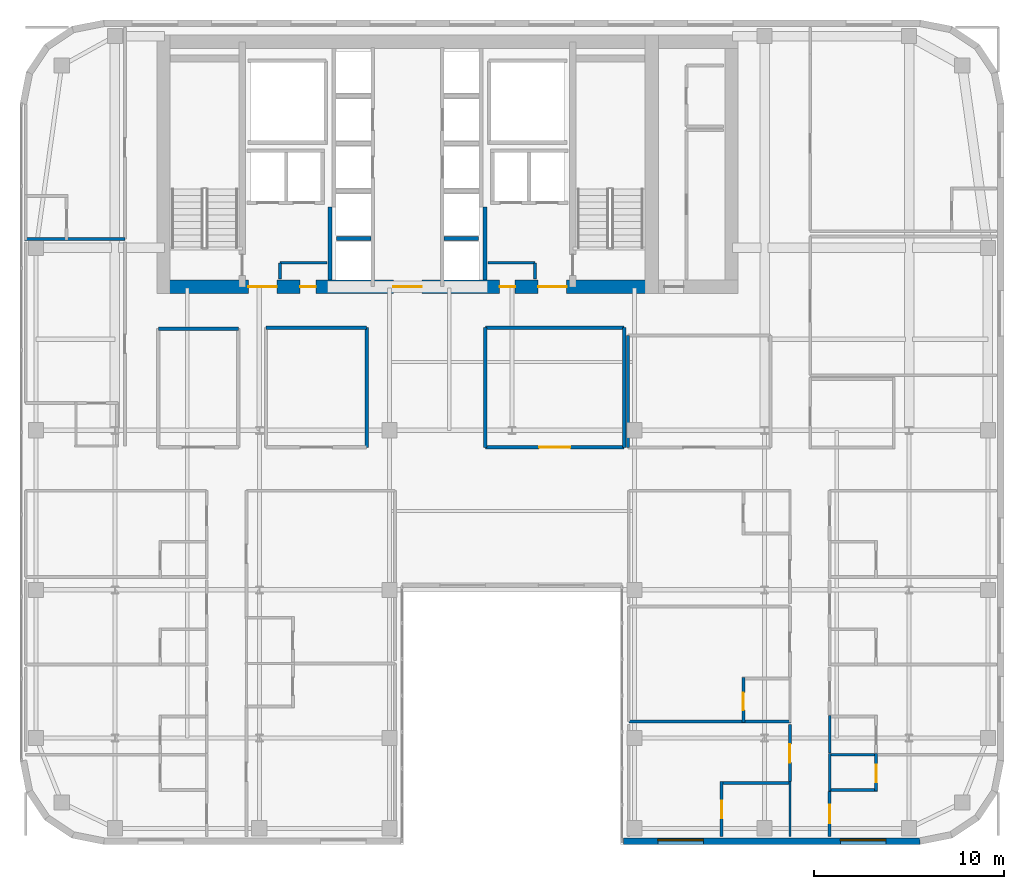
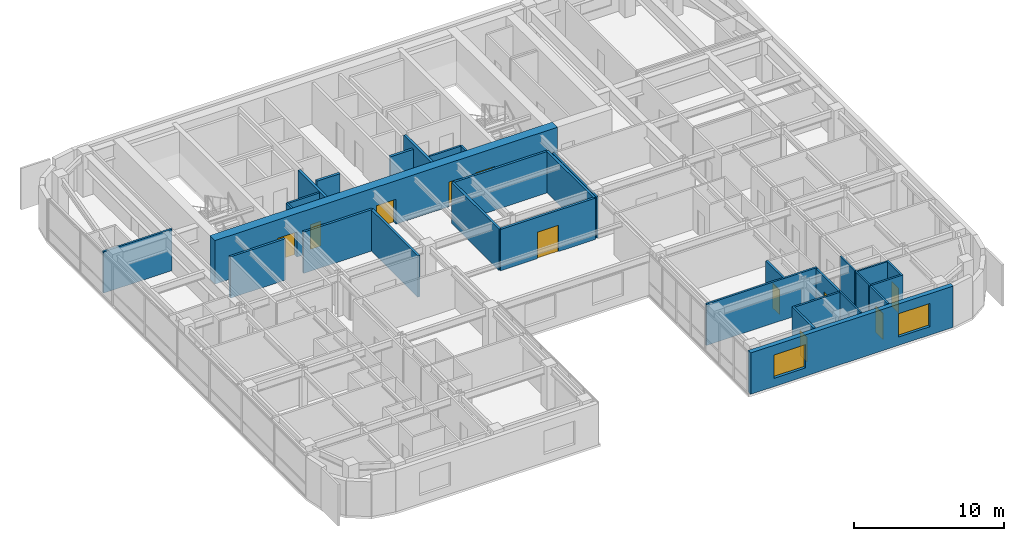
# One storey, part 19 of 24: 31 walls, 11 doors, 2 windows, 13 openings.
"""IFC4 building model written with IfcOpenShell, lengths in metres."""

from ifc_helpers import new_model, si_unit, direction, frame, frame_2d, origin, place, context, subcontext, project, spatial, rectangle, extrude, source, transform, mapped, material, layer, layer_set, type_object, type_shapes, element, fill, save


model = new_model("IFC4")

# Units and contexts
model_context = context("Model", 3, precision=1e-05, world=origin(), true_north=direction((0.0, 1.0)))
body_context = subcontext(model_context, "Body", "Model", "MODEL_VIEW")
ifc_project = project(units=[si_unit("LENGTHUNIT", "METRE"), si_unit("AREAUNIT", "SQUARE_METRE"), si_unit("VOLUMEUNIT", "CUBIC_METRE"), si_unit("PLANEANGLEUNIT", "RADIAN"), si_unit("MASSUNIT", "GRAM", prefix="KILO")], contexts=[model_context])

# Site, building, storey
site_placement = place(None, origin())
site = spatial("IfcSite", under=ifc_project, at=site_placement, CompositionType="ELEMENT")
building_placement = place(site_placement, origin())
building = spatial("IfcBuilding", under=site, at=building_placement, Name="Tolvann Quenvar Hotel", CompositionType="ELEMENT")
storey_placement = place(building_placement, frame((0.0, 0.0, 157.699951171875)))
storey = spatial("IfcBuildingStorey", under=building, at=storey_placement, Name="L41", CompositionType="ELEMENT", Elevation=157.699951171875)

# Wall, openings, doors
ifc_material_1 = material(Name="Concrete S65 (65 MPa)", Category="concrete")
ifc_layer_1 = layer(ifc_material_1, 0.699951171875)
ifc_layer_set_1 = layer_set([ifc_layer_1], Name="Concrete S65 (65 MPa)")
wall_type_1 = type_object("IfcWallType", Name="WALL_CORE_700", PredefinedType="SHEAR", material=ifc_layer_set_1)
wall_1_placement = place(storey_placement, frame((9.800048828125, 31.949951171875, 0.0), z_axis=(0.0, 0.0, 1.0), x_axis=(1.0, 0.0, 0.0)))
wall_1 = element("IfcWall", 1, at=wall_1_placement, inside=storey, type_object=wall_type_1, Name="Rear Core S Shear Wall (L41)", PredefinedType="SHEAR", context=body_context, shape_type="SweptSolid", body=[
    extrude(rectangle(XDim=26.39990234375, YDim=0.699951171875, at=frame_2d((13.199951171875, 0.0))), origin(), (0.0, 0.0, 1.0), 3.550048828125),
])
opening_1_placement = place(wall_1_placement, frame((6.320068359375, 0.0, 0.0), z_axis=(0.0, 0.0, 1.0), x_axis=(-1.0, 0.0, 0.0)))
opening_1 = element("IfcOpeningElement", 2, at=opening_1_placement, cuts=wall_1, Name="Opening FD-60D", PredefinedType="OPENING", context=body_context, shape_type="SweptSolid", body=[
    extrude(rectangle(XDim=1.5, YDim=2.0400390625, at=frame_2d((0.75, 1.02001953125))), frame((0.0, 0.35986328125, 0.0), z_axis=(0.0, -1.0, 0.0), x_axis=(1.0, 0.0, 0.0)), (0.0, 0.0, 1.0), 0.719970703125),
])
opening_2_placement = place(wall_1_placement, frame((13.949951171875, 0.0, 0.0), z_axis=(0.0, 0.0, 1.0), x_axis=(-1.0, 0.0, 0.0)))
opening_2 = element("IfcOpeningElement", 3, at=opening_2_placement, cuts=wall_1, Name="Opening FD-60D", PredefinedType="OPENING", context=body_context, shape_type="SweptSolid", body=[
    extrude(rectangle(XDim=1.5, YDim=2.0400390625, at=frame_2d((0.75, 1.02001953125))), frame((0.0, 0.35986328125, 0.0), z_axis=(0.0, -1.0, 0.0), x_axis=(1.0, 0.0, 0.0)), (0.0, 0.0, 1.0), 0.719970703125),
])
opening_3_placement = place(wall_1_placement, frame((21.580078125, 0.0, 0.0), z_axis=(0.0, 0.0, 1.0), x_axis=(-1.0, 0.0, 0.0)))
opening_3 = element("IfcOpeningElement", 4, at=opening_3_placement, cuts=wall_1, Name="Opening FD-60D", PredefinedType="OPENING", context=body_context, shape_type="SweptSolid", body=[
    extrude(rectangle(XDim=1.5, YDim=2.0400390625, at=frame_2d((0.75, 1.02001953125))), frame((0.0, 0.35986328125, 0.0), z_axis=(0.0, -1.0, 0.0), x_axis=(1.0, 0.0, 0.0)), (0.0, 0.0, 1.0), 0.719970703125),
])
opening_4_placement = place(wall_1_placement, frame((8.3701171875, 0.0, 0.0), z_axis=(0.0, 0.0, 1.0), x_axis=(-1.0, 0.0, 0.0)))
opening_4 = element("IfcOpeningElement", 5, at=opening_4_placement, cuts=wall_1, Name="Opening HD-02", PredefinedType="OPENING", context=body_context, shape_type="SweptSolid", body=[
    extrude(rectangle(XDim=0.820068359375, YDim=2.010009765625, at=frame_2d((0.41015625, 1.0048828125))), frame((0.0, 0.35986328125, 0.0), z_axis=(0.0, -1.0, 0.0), x_axis=(1.0, 0.0, 0.0)), (0.0, 0.0, 1.0), 0.719970703125),
])
opening_5_placement = place(wall_1_placement, frame((18.8701171875, 0.0, 0.0), z_axis=(0.0, 0.0, 1.0), x_axis=(-1.0, 0.0, 0.0)))
opening_5 = element("IfcOpeningElement", 6, at=opening_5_placement, cuts=wall_1, Name="Opening HD-02", PredefinedType="OPENING", context=body_context, shape_type="SweptSolid", body=[
    extrude(rectangle(XDim=0.820068359375, YDim=2.010009765625, at=frame_2d((0.41015625, 1.0048828125))), frame((0.0, 0.35986328125, 0.0), z_axis=(0.0, -1.0, 0.0), x_axis=(1.0, 0.0, 0.0)), (0.0, 0.0, 1.0), 0.719970703125),
])
ifc_material_2 = material(Name="Solid-core American oak acoustic fire door leaf in steel frame", Category="steel")
door_type_1 = type_object("IfcDoorType", Name="DOOR_FIRE_LOBBY_1500", OperationType="NOTDEFINED", PredefinedType="DOOR", material=ifc_material_2)
shared_shape_1 = source(origin(), body_context, "Body", "SweptSolid", [
    extrude(rectangle(XDim=1.5, YDim=2.0400390625, at=frame_2d((0.75, 1.02001953125))), frame((0.0, 0.02490234375, 0.0), z_axis=(0.0, -1.0, 0.0), x_axis=(1.0, 0.0, 0.0)), (0.0, 0.0, 1.0), 0.050048828125),
])
type_shapes(door_type_1, [shared_shape_1])
door_1_placement = place(opening_1_placement, origin())
door_1 = element("IfcDoor", 7, at=door_1_placement, inside=storey, type_object=door_type_1, Name="Core Lobby Fire Door FFW (L41)", OperationType="DOUBLE_DOOR_SINGLE_SWING", OverallHeight=2.0400390625, OverallWidth=1.5, PredefinedType="DOOR", context=body_context, shape_type="MappedRepresentation", body=[
    mapped(shared_shape_1, transform((0.0, 0.0, 0.0), x_axis=(1.0, 0.0, 0.0), y_axis=(0.0, 1.0, 0.0), z_axis=(0.0, 0.0, 1.0), scale=1.0)),
])
fill(opening_1, door_1)
door_2_placement = place(opening_2_placement, origin())
door_2 = element("IfcDoor", 8, at=door_2_placement, inside=storey, type_object=door_type_1, Name="Core Lobby Fire Door CLOB (L41)", OperationType="DOUBLE_DOOR_SINGLE_SWING", OverallHeight=2.0400390625, OverallWidth=1.5, PredefinedType="DOOR", context=body_context, shape_type="MappedRepresentation", body=[
    mapped(shared_shape_1, transform((0.0, 0.0, 0.0), x_axis=(1.0, 0.0, 0.0), y_axis=(0.0, 1.0, 0.0), z_axis=(0.0, 0.0, 1.0), scale=1.0)),
])
fill(opening_2, door_2)
door_3_placement = place(opening_3_placement, origin())
door_3 = element("IfcDoor", 9, at=door_3_placement, inside=storey, type_object=door_type_1, Name="Core Lobby Fire Door FFE (L41)", OperationType="DOUBLE_DOOR_SINGLE_SWING", OverallHeight=2.0400390625, OverallWidth=1.5, PredefinedType="DOOR", context=body_context, shape_type="MappedRepresentation", body=[
    mapped(shared_shape_1, transform((0.0, 0.0, 0.0), x_axis=(1.0, 0.0, 0.0), y_axis=(0.0, 1.0, 0.0), z_axis=(0.0, 0.0, 1.0), scale=1.0)),
])
fill(opening_3, door_3)
ifc_material_3 = material(Name="Pressed galvanised steel fire-rated door set", Category="steel")
door_type_2 = type_object("IfcDoorType", Name="DOOR_STORE_820", OperationType="NOTDEFINED", PredefinedType="DOOR", material=ifc_material_3)
shared_shape_2 = source(origin(), body_context, "Body", "SweptSolid", [
    extrude(rectangle(XDim=0.820068359375, YDim=2.010009765625, at=frame_2d((0.41015625, 1.0048828125))), frame((0.0, 0.02490234375, 0.0), z_axis=(0.0, -1.0, 0.0), x_axis=(1.0, 0.0, 0.0)), (0.0, 0.0, 1.0), 0.050048828125),
])
type_shapes(door_type_2, [shared_shape_2])
door_4_placement = place(opening_4_placement, origin())
door_4 = element("IfcDoor", 10, at=door_4_placement, inside=storey, type_object=door_type_2, Name="Core Linen Store Fire Door (L41)", OperationType="SINGLE_SWING_LEFT", OverallHeight=2.010009765625, OverallWidth=0.820068359375, PredefinedType="DOOR", context=body_context, shape_type="MappedRepresentation", body=[
    mapped(shared_shape_2, transform((0.0, 0.0, 0.0), x_axis=(1.0, 0.0, 0.0), y_axis=(0.0, 1.0, 0.0), z_axis=(0.0, 0.0, 1.0), scale=1.0)),
])
fill(opening_4, door_4)
door_5_placement = place(opening_5_placement, origin())
door_5 = element("IfcDoor", 11, at=door_5_placement, inside=storey, type_object=door_type_2, Name="Core Comms Closet Fire Door (L41)", OperationType="SINGLE_SWING_RIGHT", OverallHeight=2.010009765625, OverallWidth=0.820068359375, PredefinedType="DOOR", context=body_context, shape_type="MappedRepresentation", body=[
    mapped(shared_shape_2, transform((0.0, 0.0, 0.0), x_axis=(1.0, 0.0, 0.0), y_axis=(0.0, 1.0, 0.0), z_axis=(0.0, 0.0, 1.0), scale=1.0)),
])
fill(opening_5, door_5)

# Wall, openings, windows
ifc_material_4 = material(Name="Kiln-fired red and buff architectural clay brickwork and terracotta masonry", Category="masonry")
ifc_layer_2 = layer(ifc_material_4, 0.35009765625)
ifc_layer_set_2 = layer_set([ifc_layer_2], Name="Kiln-fired red and buff architectural clay brickwork and terracotta masonry")
wall_type_2 = type_object("IfcWallType", Name="WALL_EXT_BRICK_350", PredefinedType="SOLIDWALL", material=ifc_layer_set_2)
wall_2_placement = place(storey_placement, frame((34.375, 2.77490234375, 0.0), z_axis=(0.0, 0.0, 1.0), x_axis=(1.0, 0.0, 0.0)))
wall_2 = element("IfcWall", 12, at=wall_2_placement, inside=storey, type_object=wall_type_2, Name="Exterior Chicago Brick Wall L41-E08", PredefinedType="SOLIDWALL", context=body_context, shape_type="SweptSolid", body=[
    extrude(rectangle(XDim=15.60791015625, YDim=0.35009765625, at=frame_2d((7.803955078125, 0.0))), origin(), (0.0, 0.0, 1.0), 3.3701171875),
])
opening_6_placement = place(wall_2_placement, frame((1.801025390625, 0.0, 0.679931640625)))
opening_6 = element("IfcOpeningElement", 13, at=opening_6_placement, cuts=wall_2, Name="Opening W-01", PredefinedType="OPENING", context=body_context, shape_type="SweptSolid", body=[
    extrude(rectangle(XDim=2.39990234375, YDim=1.89990234375, at=frame_2d((1.199951171875, 0.949951171875))), frame((0.0, 0.18505859375, 0.0), z_axis=(0.0, -1.0, 0.0), x_axis=(1.0, 0.0, 0.0)), (0.0, 0.0, 1.0), 0.3701171875),
])
opening_7_placement = place(wall_2_placement, frame((11.406005859375, 0.0, 0.679931640625)))
opening_7 = element("IfcOpeningElement", 14, at=opening_7_placement, cuts=wall_2, Name="Opening W-01", PredefinedType="OPENING", context=body_context, shape_type="SweptSolid", body=[
    extrude(rectangle(XDim=2.39990234375, YDim=1.89990234375, at=frame_2d((1.199951171875, 0.949951171875))), frame((0.0, 0.18505859375, 0.0), z_axis=(0.0, -1.0, 0.0), x_axis=(1.0, 0.0, 0.0)), (0.0, 0.0, 1.0), 0.3701171875),
])
ifc_material_5 = material(Name="Thermally broken bronze-anodised aluminium frame with double low-E glazing", Category="aluminium")
window_type = type_object("IfcWindowType", Name="WIN_CHI_2400x2050", PartitioningType="TRIPLE_PANEL_HORIZONTAL", PredefinedType="WINDOW", material=ifc_material_5)
shared_shape_3 = source(origin(), body_context, "Body", "SweptSolid", [
    extrude(rectangle(XDim=2.39990234375, YDim=1.89990234375, at=frame_2d((1.199951171875, 0.949951171875))), frame((0.0, 0.090087890625, 0.0), z_axis=(0.0, -1.0, 0.0), x_axis=(1.0, 0.0, 0.0)), (0.0, 0.0, 1.0), 0.06005859375),
])
type_shapes(window_type, [shared_shape_3])
window_1_placement = place(opening_6_placement, origin())
window_1 = element("IfcWindow", 15, at=window_1_placement, inside=storey, type_object=window_type, Name="Chicago Window W-01 (EW-L41-E08-W01)", OverallHeight=1.89990234375, OverallWidth=2.39990234375, PartitioningType="TRIPLE_PANEL_HORIZONTAL", PredefinedType="WINDOW", context=body_context, shape_type="MappedRepresentation", body=[
    mapped(shared_shape_3, transform((0.0, 0.0, 0.0), x_axis=(1.0, 0.0, 0.0), y_axis=(0.0, 1.0, 0.0), z_axis=(0.0, 0.0, 1.0), scale=1.0)),
])
fill(opening_6, window_1)
window_2_placement = place(opening_7_placement, origin())
window_2 = element("IfcWindow", 16, at=window_2_placement, inside=storey, type_object=window_type, Name="Chicago Window W-01 (EW-L41-E08-W02)", OverallHeight=1.89990234375, OverallWidth=2.39990234375, PartitioningType="TRIPLE_PANEL_HORIZONTAL", PredefinedType="WINDOW", context=body_context, shape_type="MappedRepresentation", body=[
    mapped(shared_shape_3, transform((0.0, 0.0, 0.0), x_axis=(1.0, 0.0, 0.0), y_axis=(0.0, 1.0, 0.0), z_axis=(0.0, 0.0, 1.0), scale=1.0)),
])
fill(opening_7, window_2)

# Wall
ifc_material_6 = material(Name="Acoustic twin-stud fire-rated gypsum plasterboard partition")
ifc_layer_3 = layer(ifc_material_6, 0.179931640625)
ifc_layer_set_3 = layer_set([ifc_layer_3], Name="Acoustic twin-stud fire-rated gypsum plasterboard partition")
wall_type_3 = type_object("IfcWallType", Name="WALL_PART_ACOUSTIC_180", PredefinedType="PARTITIONING", material=ifc_layer_set_3)
wall_3_placement = place(storey_placement, frame((9.8798828125, 29.75, 0.0), z_axis=(0.0, 0.0, 1.0), x_axis=(1.0, 0.0, 0.0)))
element("IfcWall", 17, at=wall_3_placement, inside=storey, type_object=wall_type_3, Name="Interior Partition PT-SPC-L41-MSP-W-N", PredefinedType="PARTITIONING", context=body_context, shape_type="SweptSolid", body=[
    extrude(rectangle(XDim=4.22021484375, YDim=0.179931640625, at=frame_2d((2.110107421875, 0.0))), origin(), (0.0, 0.0, 1.0), 3.3701171875),
])

# Wall, opening, door
wall_4_placement = place(storey_placement, frame((27.10009765625, 23.5, 0.0), z_axis=(0.0, 0.0, 1.0), x_axis=(1.0, 0.0, 0.0)))
wall_4 = element("IfcWall", 18, at=wall_4_placement, inside=storey, type_object=wall_type_3, Name="Interior Partition PT-SPC-L41-MSP-C-S", PredefinedType="PARTITIONING", context=body_context, shape_type="SweptSolid", body=[
    extrude(rectangle(XDim=7.2998046875, YDim=0.179931640625, at=frame_2d((3.64990234375, 0.0))), origin(), (0.0, 0.0, 1.0), 3.3701171875),
])
opening_8_placement = place(wall_4_placement, frame((2.824951171875, 0.0, 0.0)))
opening_8 = element("IfcOpeningElement", 19, at=opening_8_placement, cuts=wall_4, Name="Opening AD-01", PredefinedType="OPENING", context=body_context, shape_type="SweptSolid", body=[
    extrude(rectangle(XDim=1.64990234375, YDim=2.14990234375, at=frame_2d((0.824951171875, 1.074951171875))), frame((0.0, 0.10009765625, 0.0), z_axis=(0.0, -1.0, 0.0), x_axis=(1.0, 0.0, 0.0)), (0.0, 0.0, 1.0), 0.199951171875),
])
door_type_3 = type_object("IfcDoorType", Name="DOOR_SALON_1650", OperationType="NOTDEFINED", PredefinedType="DOOR", material=ifc_material_2)
shared_shape_4 = source(origin(), body_context, "Body", "SweptSolid", [
    extrude(rectangle(XDim=1.64990234375, YDim=2.14990234375, at=frame_2d((0.824951171875, 1.074951171875))), frame((0.0, 0.02490234375, 0.0), z_axis=(0.0, -1.0, 0.0), x_axis=(1.0, 0.0, 0.0)), (0.0, 0.0, 1.0), 0.050048828125),
])
type_shapes(door_type_3, [shared_shape_4])
door_6_placement = place(opening_8_placement, origin())
door_6 = element("IfcDoor", 20, at=door_6_placement, inside=storey, type_object=door_type_3, Name="Interior Door DOOR-SPC-L41-MSP-C", OperationType="DOUBLE_DOOR_SINGLE_SWING", OverallHeight=2.14990234375, OverallWidth=1.64990234375, PredefinedType="DOOR", context=body_context, shape_type="MappedRepresentation", body=[
    mapped(shared_shape_4, transform((0.0, 0.0, 0.0), x_axis=(1.0, 0.0, 0.0), y_axis=(0.0, 1.0, 0.0), z_axis=(0.0, 0.0, 1.0), scale=1.0)),
])
fill(opening_8, door_6)

# Walls
wall_5_placement = place(storey_placement, frame((27.10009765625, 29.800048828125, 0.0), z_axis=(0.0, 0.0, 1.0), x_axis=(1.0, 0.0, 0.0)))
element("IfcWall", 21, at=wall_5_placement, inside=storey, type_object=wall_type_3, Name="Interior Partition PT-SPC-L41-MSP-C-N", PredefinedType="PARTITIONING", context=body_context, shape_type="SweptSolid", body=[
    extrude(rectangle(XDim=7.2998046875, YDim=0.179931640625, at=frame_2d((3.64990234375, 0.0))), origin(), (0.0, 0.0, 1.0), 3.3701171875),
])
for number, where, z_axis, x_axis, name in (
    (22, (27.10009765625, 23.5, 0.0), (0.0, 0.0, 1.0), (0.0, 1.0, 0.0), "Interior Partition PT-SPC-L41-MSP-C-W"),
    (23, (34.39990234375, 23.5, 0.0), (0.0, 0.0, 1.0), (0.0, 1.0, 0.0), "Interior Partition PT-SPC-L41-MSP-C-E"),
):
    element("IfcWall", number, at=place(storey_placement, frame(where, z_axis=z_axis, x_axis=x_axis)), inside=storey, type_object=wall_type_3, Name=name, PredefinedType="PARTITIONING", context=body_context, shape_type="SweptSolid", body=[
        extrude(rectangle(XDim=6.300048828125, YDim=0.179931640625, at=frame_2d((3.14990234375, 0.0))), origin(), (0.0, 0.0, 1.0), 3.3701171875),
    ])
wall_6_placement = place(storey_placement, frame((15.550048828125, 29.800048828125, 0.0), z_axis=(0.0, 0.0, 1.0), x_axis=(1.0, 0.0, 0.0)))
element("IfcWall", 24, at=wall_6_placement, inside=storey, type_object=wall_type_3, Name="Interior Partition PT-SPC-L41-MSP-N-N", PredefinedType="PARTITIONING", context=body_context, shape_type="SweptSolid", body=[
    extrude(rectangle(XDim=5.300048828125, YDim=0.179931640625, at=frame_2d((2.64990234375, 0.0))), origin(), (0.0, 0.0, 1.0), 3.3701171875),
])
wall_7_placement = place(storey_placement, frame((20.85009765625, 23.5, 0.0), z_axis=(0.0, 0.0, 1.0), x_axis=(0.0, 1.0, 0.0)))
element("IfcWall", 25, at=wall_7_placement, inside=storey, type_object=wall_type_3, Name="Interior Partition PT-SPC-L41-MSP-N-E", PredefinedType="PARTITIONING", context=body_context, shape_type="SweptSolid", body=[
    extrude(rectangle(XDim=6.300048828125, YDim=0.179931640625, at=frame_2d((3.14990234375, 0.0))), origin(), (0.0, 0.0, 1.0), 3.3701171875),
])
ifc_material_7 = material(Name="Moisture-resistant acoustic plumbing wall assembly")
ifc_layer_4 = layer(ifc_material_7, 0.1201171875)
ifc_layer_set_4 = layer_set([ifc_layer_4], Name="Moisture-resistant acoustic plumbing wall assembly")
wall_type_4 = type_object("IfcWallType", Name="WALL_PART_BATH_120", PredefinedType="PLUMBINGWALL", material=ifc_layer_set_4)
wall_8_placement = place(storey_placement, frame((43.1298828125, 3.0048828125, 0.0), z_axis=(0.0, 0.0, 1.0), x_axis=(0.0, 1.0, 0.0)))
element("IfcWall", 26, at=wall_8_placement, inside=storey, type_object=wall_type_4, Name="Non-Rated Plumbing Partition PT-SPC-L41-ENS-EI01-E", PredefinedType="PLUMBINGWALL", context=body_context, shape_type="SweptSolid", body=[
    extrude(rectangle(XDim=2.89501953125, YDim=0.1201171875, at=frame_2d((1.447509765625, 0.0))), origin(), (0.0, 0.0, 1.0), 3.3701171875),
])
wall_9_placement = place(storey_placement, frame((45.14990234375, 7.320068359375, 0.0), z_axis=(0.0, 0.0, 1.0), x_axis=(1.0, 0.0, 0.0)))
element("IfcWall", 27, at=wall_9_placement, inside=storey, type_object=wall_type_4, Name="Non-Rated Plumbing Partition PT-SPC-L41-ENS-EO01-N", PredefinedType="PLUMBINGWALL", context=body_context, shape_type="SweptSolid", body=[
    extrude(rectangle(XDim=2.590087890625, YDim=0.1201171875, at=frame_2d((1.294921875, 0.0))), origin(), (0.0, 0.0, 1.0), 3.3701171875),
])
for number, where, z_axis, x_axis, name in (
    (28, (45.219970703125, 5.39990234375, 0.0), (0.0, 0.0, 1.0), (0.0, 1.0, 0.0), "Non-Rated Plumbing Partition PT-SPC-L41-ENS-EO01-W"),
    (29, (45.219970703125, 7.409912109375, 0.0), (0.0, 0.0, 1.0), (0.0, 1.0, 0.0), "Non-Rated Plumbing Partition PT-SPC-L41-ENS-EO02-W"),
):
    element("IfcWall", number, at=place(storey_placement, frame(where, z_axis=z_axis, x_axis=x_axis)), inside=storey, type_object=wall_type_4, Name=name, PredefinedType="PLUMBINGWALL", context=body_context, shape_type="SweptSolid", body=[
        extrude(rectangle(XDim=1.989990234375, YDim=0.1201171875, at=frame_2d((0.9951171875, 0.0))), origin(), (0.0, 0.0, 1.0), 3.3701171875),
    ])

# Wall, opening, door
ifc_layer_5 = layer(ifc_material_6, 0.14990234375)
ifc_layer_set_5 = layer_set([ifc_layer_5], Name="Acoustic twin-stud fire-rated gypsum plasterboard partition")
wall_type_5 = type_object("IfcWallType", Name="WALL_PART_SUITE_150", PredefinedType="PARTITIONING", material=ifc_layer_set_5)
wall_10_placement = place(storey_placement, frame((39.530029296875, 3.0048828125, 0.0), z_axis=(0.0, 0.0, 1.0), x_axis=(0.0, 1.0, 0.0)))
wall_10 = element("IfcWall", 30, at=wall_10_placement, inside=storey, type_object=wall_type_5, Name="Interior Partition PT-SPC-L41-ENS-EI01-ENT", PredefinedType="PARTITIONING", context=body_context, shape_type="SweptSolid", body=[
    extrude(rectangle(XDim=2.89501953125, YDim=0.14990234375, at=frame_2d((1.447509765625, 0.0))), origin(), (0.0, 0.0, 1.0), 3.3701171875),
])
opening_9_placement = place(wall_10_placement, frame((0.97998046875, 0.0, 0.0)))
opening_9 = element("IfcOpeningElement", 31, at=opening_9_placement, cuts=wall_10, Name="Opening WD-01", PredefinedType="OPENING", context=body_context, shape_type="SweptSolid", body=[
    extrude(rectangle(XDim=0.919921875, YDim=2.010009765625, at=frame_2d((0.4599609375, 1.0048828125))), frame((0.0, 0.0849609375, 0.0), z_axis=(0.0, -1.0, 0.0), x_axis=(1.0, 0.0, 0.0)), (0.0, 0.0, 1.0), 0.169921875),
])
door_type_4 = type_object("IfcDoorType", Name="DOOR_WC_920", OperationType="NOTDEFINED", PredefinedType="DOOR", material=ifc_material_2)
shared_shape_5 = source(origin(), body_context, "Body", "SweptSolid", [
    extrude(rectangle(XDim=0.919921875, YDim=2.010009765625, at=frame_2d((0.4599609375, 1.0048828125))), frame((0.0, 0.02490234375, 0.0), z_axis=(0.0, -1.0, 0.0), x_axis=(1.0, 0.0, 0.0)), (0.0, 0.0, 1.0), 0.050048828125),
])
type_shapes(door_type_4, [shared_shape_5])
door_7_placement = place(opening_9_placement, origin())
door_7 = element("IfcDoor", 32, at=door_7_placement, inside=storey, type_object=door_type_4, Name="Interior Door DOOR-SPC-L41-ENS-EI01", OperationType="SINGLE_SWING_LEFT", OverallHeight=2.010009765625, OverallWidth=0.919921875, PredefinedType="DOOR", context=body_context, shape_type="MappedRepresentation", body=[
    mapped(shared_shape_5, transform((0.0, 0.0, 0.0), x_axis=(1.0, 0.0, 0.0), y_axis=(0.0, 1.0, 0.0), z_axis=(0.0, 0.0, 1.0), scale=1.0)),
])
fill(opening_9, door_7)

# Wall
wall_11_placement = place(storey_placement, frame((39.4599609375, 5.830078125, 0.0), z_axis=(0.0, 0.0, 1.0), x_axis=(1.0, 0.0, 0.0)))
element("IfcWall", 33, at=wall_11_placement, inside=storey, type_object=wall_type_5, Name="Interior Partition PT-SPC-L41-ENS-EI01-N", PredefinedType="PARTITIONING", context=body_context, shape_type="SweptSolid", body=[
    extrude(rectangle(XDim=3.739990234375, YDim=0.14990234375, at=frame_2d((1.8701171875, 0.0))), origin(), (0.0, 0.0, 1.0), 3.3701171875),
])

# Wall, opening, door
wall_12_placement = place(storey_placement, frame((40.679931640625, 9.010009765625, 0.0), z_axis=(0.0, 0.0, 1.0), x_axis=(0.0, 1.0, 0.0)))
wall_12 = element("IfcWall", 34, at=wall_12_placement, inside=storey, type_object=wall_type_5, Name="Interior Partition PT-SPC-L41-ENS-EI02-ENT", PredefinedType="PARTITIONING", context=body_context, shape_type="SweptSolid", body=[
    extrude(rectangle(XDim=2.389892578125, YDim=0.14990234375, at=frame_2d((1.19482421875, 0.0))), origin(), (0.0, 0.0, 1.0), 3.3701171875),
])
opening_10_placement = place(wall_12_placement, frame((0.6650390625, 0.0, 0.0)))
opening_10 = element("IfcOpeningElement", 35, at=opening_10_placement, cuts=wall_12, Name="Opening WD-01", PredefinedType="OPENING", context=body_context, shape_type="SweptSolid", body=[
    extrude(rectangle(XDim=0.919921875, YDim=2.010009765625, at=frame_2d((0.4599609375, 1.0048828125))), frame((0.0, 0.0849609375, 0.0), z_axis=(0.0, -1.0, 0.0), x_axis=(1.0, 0.0, 0.0)), (0.0, 0.0, 1.0), 0.169921875),
])
door_8_placement = place(opening_10_placement, origin())
door_8 = element("IfcDoor", 36, at=door_8_placement, inside=storey, type_object=door_type_4, Name="Interior Door DOOR-SPC-L41-ENS-EI02", OperationType="SINGLE_SWING_RIGHT", OverallHeight=2.010009765625, OverallWidth=0.919921875, PredefinedType="DOOR", context=body_context, shape_type="MappedRepresentation", body=[
    mapped(shared_shape_5, transform((0.0, 0.0, 0.0), x_axis=(1.0, 0.0, 0.0), y_axis=(0.0, 1.0, 0.0), z_axis=(0.0, 0.0, 1.0), scale=1.0)),
])
fill(opening_10, door_8)

# Wall
wall_13_placement = place(storey_placement, frame((34.64990234375, 9.080078125, 0.0), z_axis=(0.0, 0.0, 1.0), x_axis=(1.0, 0.0, 0.0)))
element("IfcWall", 37, at=wall_13_placement, inside=storey, type_object=wall_type_5, Name="Interior Partition PT-SPC-L41-ENS-EI02-S", PredefinedType="PARTITIONING", context=body_context, shape_type="SweptSolid", body=[
    extrude(rectangle(XDim=8.550048828125, YDim=0.14990234375, at=frame_2d((4.27490234375, 0.0))), origin(), (0.0, 0.0, 1.0), 3.3701171875),
])

# Wall, opening, door
wall_14_placement = place(storey_placement, frame((47.669921875, 5.39990234375, 0.0), z_axis=(0.0, 0.0, 1.0), x_axis=(0.0, 1.0, 0.0)))
wall_14 = element("IfcWall", 38, at=wall_14_placement, inside=storey, type_object=wall_type_5, Name="Interior Partition PT-SPC-L41-ENS-EO01-ENT", PredefinedType="PARTITIONING", context=body_context, shape_type="SweptSolid", body=[
    extrude(rectangle(XDim=1.989990234375, YDim=0.14990234375, at=frame_2d((0.9951171875, 0.0))), origin(), (0.0, 0.0, 1.0), 3.3701171875),
])
opening_11_placement = place(wall_14_placement, frame((0.465087890625, 0.0, 0.0)))
opening_11 = element("IfcOpeningElement", 39, at=opening_11_placement, cuts=wall_14, Name="Opening WD-01", PredefinedType="OPENING", context=body_context, shape_type="SweptSolid", body=[
    extrude(rectangle(XDim=0.919921875, YDim=2.010009765625, at=frame_2d((0.4599609375, 1.0048828125))), frame((0.0, 0.0849609375, 0.0), z_axis=(0.0, -1.0, 0.0), x_axis=(1.0, 0.0, 0.0)), (0.0, 0.0, 1.0), 0.169921875),
])
door_9_placement = place(opening_11_placement, origin())
door_9 = element("IfcDoor", 40, at=door_9_placement, inside=storey, type_object=door_type_4, Name="Interior Door DOOR-SPC-L41-ENS-EO01", OperationType="SINGLE_SWING_RIGHT", OverallHeight=2.010009765625, OverallWidth=0.919921875, PredefinedType="DOOR", context=body_context, shape_type="MappedRepresentation", body=[
    mapped(shared_shape_5, transform((0.0, 0.0, 0.0), x_axis=(1.0, 0.0, 0.0), y_axis=(0.0, 1.0, 0.0), z_axis=(0.0, 0.0, 1.0), scale=1.0)),
])
fill(opening_11, door_9)

# Walls
wall_15_placement = place(storey_placement, frame((45.14990234375, 5.469970703125, 0.0), z_axis=(0.0, 0.0, 1.0), x_axis=(1.0, 0.0, 0.0)))
element("IfcWall", 41, at=wall_15_placement, inside=storey, type_object=wall_type_5, Name="Interior Partition PT-SPC-L41-ENS-EO01-S", PredefinedType="PARTITIONING", context=body_context, shape_type="SweptSolid", body=[
    extrude(rectangle(XDim=2.590087890625, YDim=0.14990234375, at=frame_2d((1.294921875, 0.0))), origin(), (0.0, 0.0, 1.0), 3.3701171875),
])
wall_16_placement = place(storey_placement, frame((2.830078125, 34.47998046875, 0.0), z_axis=(0.0, 0.0, 1.0), x_axis=(1.0, 0.0, 0.0)))
element("IfcWall", 42, at=wall_16_placement, inside=storey, type_object=wall_type_5, Name="Interior Partition PT-SPC-L41-ENS-NW02-S", PredefinedType="PARTITIONING", context=body_context, shape_type="SweptSolid", body=[
    extrude(rectangle(XDim=5.2900390625, YDim=0.14990234375, at=frame_2d((2.64501953125, 0.0))), origin(), (0.0, 0.0, 1.0), 3.3701171875),
])
wall_17_placement = place(storey_placement, frame((16.280029296875, 33.219970703125, 0.0), z_axis=(0.0, 0.0, 1.0), x_axis=(1.0, 0.0, 0.0)))
element("IfcWall", 43, at=wall_17_placement, inside=storey, type_object=wall_type_5, Name="Interior Partition PT-SPC-L41-CSW-1-N", PredefinedType="PARTITIONING", context=body_context, shape_type="SweptSolid", body=[
    extrude(rectangle(XDim=2.48486328125, YDim=0.14990234375, at=frame_2d((1.242431640625, 0.0))), origin(), (0.0, 0.0, 1.0), 3.3701171875),
])
wall_18_placement = place(storey_placement, frame((16.280029296875, 32.35498046875, 0.0), z_axis=(0.0, 0.0, 1.0), x_axis=(0.0, 1.0, 0.0)))
element("IfcWall", 44, at=wall_18_placement, inside=storey, type_object=wall_type_5, Name="Interior Partition PT-SPC-L41-CSW-1-W", PredefinedType="PARTITIONING", context=body_context, shape_type="SweptSolid", body=[
    extrude(rectangle(XDim=0.864990234375, YDim=0.14990234375, at=frame_2d((0.4326171875, 0.0))), origin(), (0.0, 0.0, 1.0), 3.3701171875),
])
wall_19_placement = place(storey_placement, frame((27.235107421875, 33.219970703125, 0.0), z_axis=(0.0, 0.0, 1.0), x_axis=(1.0, 0.0, 0.0)))
element("IfcWall", 45, at=wall_19_placement, inside=storey, type_object=wall_type_5, Name="Interior Partition PT-SPC-L41-CSE-2-N", PredefinedType="PARTITIONING", context=body_context, shape_type="SweptSolid", body=[
    extrude(rectangle(XDim=2.48486328125, YDim=0.14990234375, at=frame_2d((1.242431640625, 0.0))), origin(), (0.0, 0.0, 1.0), 3.3701171875),
])
wall_20_placement = place(storey_placement, frame((29.719970703125, 32.35498046875, 0.0), z_axis=(0.0, 0.0, 1.0), x_axis=(0.0, 1.0, 0.0)))
element("IfcWall", 46, at=wall_20_placement, inside=storey, type_object=wall_type_5, Name="Interior Partition PT-SPC-L41-CSE-2-E", PredefinedType="PARTITIONING", context=body_context, shape_type="SweptSolid", body=[
    extrude(rectangle(XDim=0.864990234375, YDim=0.14990234375, at=frame_2d((0.4326171875, 0.0))), origin(), (0.0, 0.0, 1.0), 3.3701171875),
])

# Wall, opening, door
wall_21_placement = place(storey_placement, frame((43.1298828125, 5.909912109375, 0.0), z_axis=(0.0, 0.0, 1.0), x_axis=(0.0, 1.0, 0.0)))
wall_21 = element("IfcWall", 47, at=wall_21_placement, inside=storey, type_object=wall_type_5, Name="Interior Partition PT-SPC-L41-RM-EI01-ENT", PredefinedType="PARTITIONING", context=body_context, shape_type="SweptSolid", body=[
    extrude(rectangle(XDim=3.010009765625, YDim=0.14990234375, at=frame_2d((1.5048828125, 0.0))), origin(), (0.0, 0.0, 1.0), 3.3701171875),
])
opening_12_placement = place(wall_21_placement, frame((0.9951171875, 0.0, 0.0)))
opening_12 = element("IfcOpeningElement", 48, at=opening_12_placement, cuts=wall_21, Name="Opening SD-01", PredefinedType="OPENING", context=body_context, shape_type="SweptSolid", body=[
    extrude(rectangle(XDim=0.97998046875, YDim=2.1201171875, at=frame_2d((0.489990234375, 1.06005859375))), frame((0.0, 0.0849609375, 0.0), z_axis=(0.0, -1.0, 0.0), x_axis=(1.0, 0.0, 0.0)), (0.0, 0.0, 1.0), 0.169921875),
])
door_type_5 = type_object("IfcDoorType", Name="DOOR_SUITE_980", OperationType="NOTDEFINED", PredefinedType="DOOR", material=ifc_material_2)
shared_shape_6 = source(origin(), body_context, "Body", "SweptSolid", [
    extrude(rectangle(XDim=0.97998046875, YDim=2.1201171875, at=frame_2d((0.489990234375, 1.06005859375))), frame((0.0, 0.02490234375, 0.0), z_axis=(0.0, -1.0, 0.0), x_axis=(1.0, 0.0, 0.0)), (0.0, 0.0, 1.0), 0.050048828125),
])
type_shapes(door_type_5, [shared_shape_6])
door_10_placement = place(opening_12_placement, origin())
door_10 = element("IfcDoor", 49, at=door_10_placement, inside=storey, type_object=door_type_5, Name="Interior Door DOOR-SPC-L41-RM-EI01", OperationType="SINGLE_SWING_LEFT", OverallHeight=2.1201171875, OverallWidth=0.97998046875, PredefinedType="DOOR", context=body_context, shape_type="MappedRepresentation", body=[
    mapped(shared_shape_6, transform((0.0, 0.0, 0.0), x_axis=(1.0, 0.0, 0.0), y_axis=(0.0, 1.0, 0.0), z_axis=(0.0, 0.0, 1.0), scale=1.0)),
])
fill(opening_12, door_10)

wall_22_placement = place(storey_placement, frame((45.219970703125, 3.0048828125, 0.0), z_axis=(0.0, 0.0, 1.0), x_axis=(0.0, 1.0, 0.0)))
wall_22 = element("IfcWall", 50, at=wall_22_placement, inside=storey, type_object=wall_type_5, Name="Interior Partition PT-SPC-L41-RM-EO01-ENT", PredefinedType="PARTITIONING", context=body_context, shape_type="SweptSolid", body=[
    extrude(rectangle(XDim=2.385009765625, YDim=0.14990234375, at=frame_2d((1.1923828125, 0.0))), origin(), (0.0, 0.0, 1.0), 3.3701171875),
])
opening_13_placement = place(wall_22_placement, frame((0.7099609375, 0.0, 0.0)))
opening_13 = element("IfcOpeningElement", 51, at=opening_13_placement, cuts=wall_22, Name="Opening SD-01", PredefinedType="OPENING", context=body_context, shape_type="SweptSolid", body=[
    extrude(rectangle(XDim=0.97998046875, YDim=2.1201171875, at=frame_2d((0.489990234375, 1.06005859375))), frame((0.0, 0.0849609375, 0.0), z_axis=(0.0, -1.0, 0.0), x_axis=(1.0, 0.0, 0.0)), (0.0, 0.0, 1.0), 0.169921875),
])
door_11_placement = place(opening_13_placement, origin())
door_11 = element("IfcDoor", 52, at=door_11_placement, inside=storey, type_object=door_type_5, Name="Interior Door DOOR-SPC-L41-RM-EO01", OperationType="SINGLE_SWING_RIGHT", OverallHeight=2.1201171875, OverallWidth=0.97998046875, PredefinedType="DOOR", context=body_context, shape_type="MappedRepresentation", body=[
    mapped(shared_shape_6, transform((0.0, 0.0, 0.0), x_axis=(1.0, 0.0, 0.0), y_axis=(0.0, 1.0, 0.0), z_axis=(0.0, 0.0, 1.0), scale=1.0)),
])
fill(opening_13, door_11)

# Walls
wall_23_placement = place(storey_placement, frame((34.60009765625, 23.5, 0.0), z_axis=(0.0, 0.0, 1.0), x_axis=(0.0, 1.0, 0.0)))
element("IfcWall", 53, at=wall_23_placement, inside=storey, type_object=wall_type_5, Name="Interior Partition PT-SPC-L41-MSP-E-W", PredefinedType="PARTITIONING", context=body_context, shape_type="SweptSolid", body=[
    extrude(rectangle(XDim=5.89990234375, YDim=0.14990234375, at=frame_2d((2.949951171875, 0.0))), origin(), (0.0, 0.0, 1.0), 3.3701171875),
])
ifc_material_8 = material(Name="Concrete N40 (40 MPa)", Category="concrete")
ifc_layer_6 = layer(ifc_material_8, 0.199951171875)
ifc_layer_set_6 = layer_set([ifc_layer_6], Name="Concrete N40 (40 MPa)")
wall_type_6 = type_object("IfcWallType", Name="WALL_SHAFT_200", PredefinedType="SOLIDWALL", material=ifc_layer_set_6)
for number, where, z_axis, x_axis, name in (
    (54, (18.919921875, 32.303955078125, 0.0), (0.0, 0.0, 1.0), (0.0, 1.0, 0.0), "Firefighting Lobby W Inner Fire Wall (L41)"),
    (55, (27.080078125, 32.303955078125, 0.0), (0.0, 0.0, 1.0), (0.0, 1.0, 0.0), "Firefighting Lobby E Inner Fire Wall (L41)"),
):
    element("IfcWall", number, at=place(storey_placement, frame(where, z_axis=z_axis, x_axis=x_axis)), inside=storey, type_object=wall_type_6, Name=name, PredefinedType="SOLIDWALL", context=body_context, shape_type="SweptSolid", body=[
        extrude(rectangle(XDim=3.845947265625, YDim=0.199951171875, at=frame_2d((1.9228515625, 0.0))), origin(), (0.0, 0.0, 1.0), 3.3701171875),
    ])
for number, where, z_axis, x_axis, name in (
    (56, (19.27001953125, 34.5, 0.0), (0.0, 0.0, 1.0), (1.0, 0.0, 0.0), "Lift Bank E21.1C1 Divider Wall 1 (L41)"),
    (57, (24.929931640625, 34.5, 0.0), (0.0, 0.0, 1.0), (1.0, 0.0, 0.0), "Lift Bank W24.9C1 Divider Wall 1 (L41)"),
):
    element("IfcWall", number, at=place(storey_placement, frame(where, z_axis=z_axis, x_axis=x_axis)), inside=storey, type_object=wall_type_6, Name=name, PredefinedType="SOLIDWALL", context=body_context, shape_type="SweptSolid", body=[
        extrude(rectangle(XDim=1.800048828125, YDim=0.199951171875, at=frame_2d((0.89990234375, 0.0))), origin(), (0.0, 0.0, 1.0), 3.3701171875),
    ])

save(model, "model.ifc")
